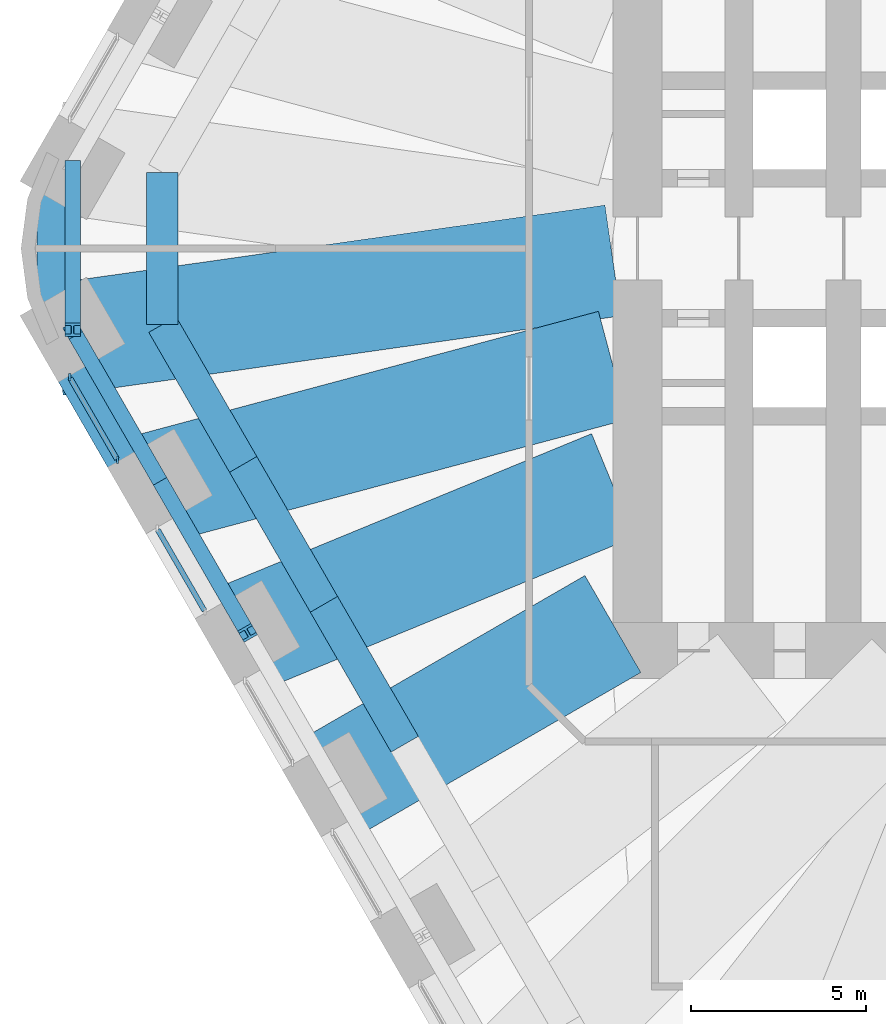
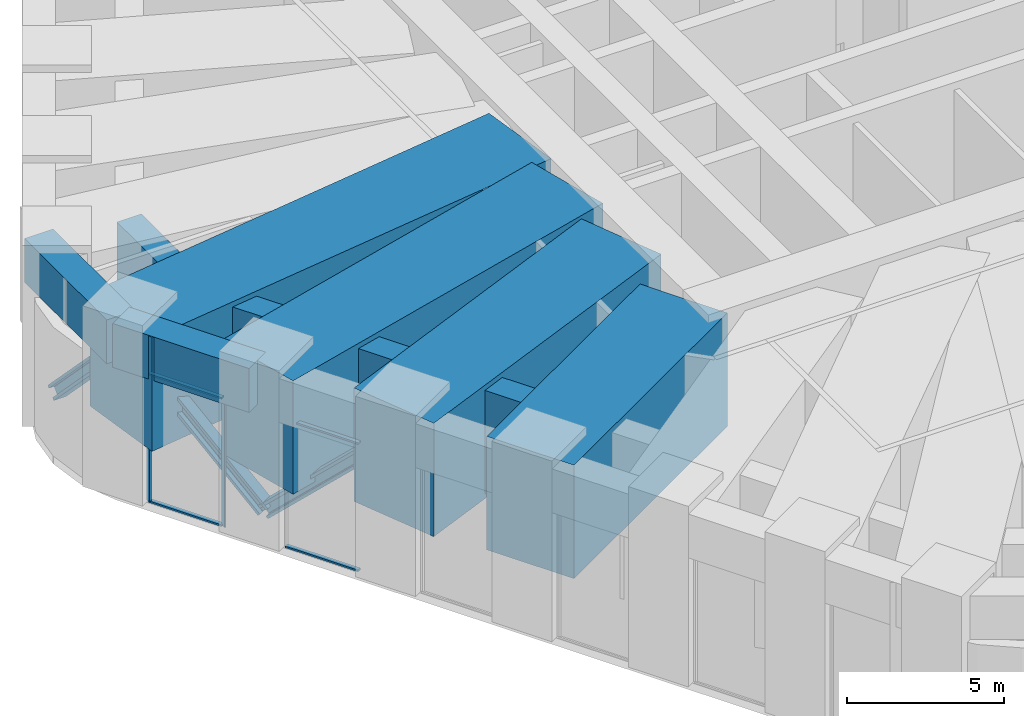
# One storey, part 3 of 16: 10 beams, 9 members, 2 elements without a shape of their own.
"""IFC4 building model written with IfcOpenShell, lengths in metres."""

from ifc_helpers import new_model, si_unit, direction, frame, origin, origin_2d, place, context, subcontext, project, spatial, rectangle, i_section, extrude, material, material_profile, profile_set, type_object, element, aggregate, save


model = new_model("IFC4")

# Units and contexts
model_context = context("Model", 3, precision=1e-05, world=origin(), true_north=direction((0.0, 1.0)))
body_context = subcontext(model_context, "Body", "Model", "MODEL_VIEW")
ifc_project = project(units=[si_unit("LENGTHUNIT", "METRE"), si_unit("AREAUNIT", "SQUARE_METRE"), si_unit("VOLUMEUNIT", "CUBIC_METRE"), si_unit("PLANEANGLEUNIT", "RADIAN"), si_unit("MASSUNIT", "GRAM", prefix="KILO")], contexts=[model_context])

# Site, building, storey
site_placement = place(None, origin())
site = spatial("IfcSite", under=ifc_project, at=site_placement, CompositionType="ELEMENT")
building_placement = place(site_placement, origin())
building = spatial("IfcBuilding", under=site, at=building_placement, Name="Tarfa Lantern Tower", CompositionType="ELEMENT")
storey_placement = place(building_placement, frame((0.0, 0.0, 203.5)))
storey = spatial("IfcBuildingStorey", under=building, at=storey_placement, Name="L46", CompositionType="ELEMENT", Elevation=203.5)

# Members
ifc_material_1 = material(Name="Steel S460M", Category="steel")
ifc_material_profile_1 = material_profile(ifc_material_1, i_section(OverallWidth=0.44189453125, OverallDepth=0.531005859375, WebThickness=0.06591796875, FlangeThickness=0.10595703125, FilletRadius=0.02001953125, at=origin_2d()), Name="HD400x900")
ifc_profile_set_1 = profile_set([ifc_material_profile_1], Name="Steel S460M")
member_type_1 = type_object("IfcMemberType", Name="BT2 HD400x900", PredefinedType="BRACE", material=ifc_profile_set_1)
member_1_placement = place(storey_placement, frame((-34.04931640625, 2.324951171875, 0.60009765625), z_axis=(0.0, -0.695802283081, 0.718233376319), x_axis=(1.0, 0.0, 0.0)))
element("IfcMember", 1, at=member_1_placement, inside=storey, type_object=member_type_1, Name="Belt truss diagonal 21", PredefinedType="BRACE", context=body_context, shape_type="SweptSolid", body=[
    extrude(i_section(OverallWidth=0.44189453125, OverallDepth=0.531005859375, WebThickness=0.06591796875, FlangeThickness=0.10595703125, FilletRadius=0.02001953125, at=origin_2d()), origin(), (0.0, 0.0, 1.0), 6.682861328125),
])
member_2_placement = place(storey_placement, frame((-31.54736328125, -6.658447265625, 0.60009765625), z_axis=(-0.360836211576, 0.624984656077, 0.692236526112), x_axis=(-0.866024712477, -0.500001197378, 0.0)))
element("IfcMember", 2, at=member_2_placement, inside=storey, type_object=member_type_1, Name="Belt truss diagonal 22", PredefinedType="BRACE", context=body_context, shape_type="SweptSolid", body=[
    extrude(i_section(OverallWidth=0.44189453125, OverallDepth=0.531005859375, WebThickness=0.06591796875, FlangeThickness=0.10595703125, FilletRadius=0.02001953125, at=origin_2d()), origin(), (0.0, 0.0, 1.0), 6.933837890625),
])
member_3_placement = place(storey_placement, frame((-31.54736328125, -6.658447265625, 0.60009765625), z_axis=(0.360844152163, -0.624963198354, 0.692251759516), x_axis=(0.866012514114, 0.500022324899, 0.0)))
element("IfcMember", 3, at=member_3_placement, inside=storey, type_object=member_type_1, Name="Belt truss diagonal 23", PredefinedType="BRACE", context=body_context, shape_type="SweptSolid", body=[
    extrude(i_section(OverallWidth=0.44189453125, OverallDepth=0.531005859375, WebThickness=0.06591796875, FlangeThickness=0.10595703125, FilletRadius=0.02001953125, at=origin_2d()), origin(), (0.0, 0.0, 1.0), 6.93359375),
])

# Curtain wall, members
ifc_material_2 = material(Name="Aluminium framed curtain wall", Category="aluminium")
curtain_wall_type = type_object("IfcCurtainWallType", Name="CW6 LOUVRED SCREEN WALL 5000", PredefinedType="USERDEFINED", material=ifc_material_2)
curtain_wall_1_placement = place(storey_placement, origin())
curtain_wall_1 = element("IfcCurtainWall", 4, at=curtain_wall_1_placement, inside=storey, type_object=curtain_wall_type, Name="CW6 SW L46", ObjectType="CURTAIN WALL", PredefinedType="USERDEFINED")
ifc_material_3 = material(Name="Aluminium mullion", Category="aluminium")
ifc_material_profile_2 = material_profile(ifc_material_3, rectangle(XDim=0.06494140625, YDim=0.199951171875, at=origin_2d()), Name="AL MULLION 65x200")
ifc_profile_set_2 = profile_set([ifc_material_profile_2], Name="Aluminium mullion")
member_type_2 = type_object("IfcMemberType", Name="CWM1 MULLION 65x200", PredefinedType="MULLION", material=ifc_profile_set_2)
member_4_placement = place(storey_placement, frame((-34.132568359375, -3.6806640625, 0.0), z_axis=(0.0, 0.0, 1.0), x_axis=(1.0, 0.0, 0.0)))
member_4 = element("IfcMember", 5, at=member_4_placement, type_object=member_type_2, Name="CW6 mullion 1", PredefinedType="MULLION", context=body_context, shape_type="SweptSolid", body=[
    extrude(rectangle(XDim=0.06494140625, YDim=0.199951171875, at=origin_2d()), origin(), (0.0, 0.0, 1.0), 5.0),
])
member_5_placement = place(storey_placement, frame((-32.76318359375, -6.052490234375, 0.0), z_axis=(0.0, 0.0, 1.0), x_axis=(1.0, 0.0, 0.0)))
member_5 = element("IfcMember", 6, at=member_5_placement, type_object=member_type_2, Name="CW6 mullion 2", PredefinedType="MULLION", context=body_context, shape_type="SweptSolid", body=[
    extrude(rectangle(XDim=0.06494140625, YDim=0.199951171875, at=origin_2d()), origin(), (0.0, 0.0, 1.0), 5.0),
])
ifc_material_4 = material(Name="Aluminium transom", Category="aluminium")
ifc_material_profile_3 = material_profile(ifc_material_4, rectangle(XDim=0.14990234375, YDim=0.06494140625, at=origin_2d()), Name="AL TRANSOM 150x65")
ifc_profile_set_3 = profile_set([ifc_material_profile_3], Name="Aluminium transom")
member_type_3 = type_object("IfcMemberType", Name="CWT1 TRANSOM 150x65", PredefinedType="USERDEFINED", material=ifc_profile_set_3)
member_6_placement = place(storey_placement, frame((-34.1162109375, -3.708984375, 0.032470703125), z_axis=(0.500028081597, -0.86600919026, 0.0), x_axis=(0.86600919026, 0.500028081597, 0.0)))
member_6 = element("IfcMember", 7, at=member_6_placement, type_object=member_type_3, Name="CW6 transom 1.1", ObjectType="TRANSOM", PredefinedType="USERDEFINED", context=body_context, shape_type="SweptSolid", body=[
    extrude(rectangle(XDim=0.14990234375, YDim=0.06494140625, at=origin_2d()), origin(), (0.0, 0.0, 1.0), 2.673583984375),
])
member_7_placement = place(storey_placement, frame((-34.1162109375, -3.708984375, 4.967529296875), z_axis=(0.500028081597, -0.86600919026, 0.0), x_axis=(0.86600919026, 0.500028081597, 0.0)))
member_7 = element("IfcMember", 8, at=member_7_placement, type_object=member_type_3, Name="CW6 transom 1.2", ObjectType="TRANSOM", PredefinedType="USERDEFINED", context=body_context, shape_type="SweptSolid", body=[
    extrude(rectangle(XDim=0.14990234375, YDim=0.06494140625, at=origin_2d()), origin(), (0.0, 0.0, 1.0), 2.673583984375),
])
aggregate(curtain_wall_1, [member_4, member_5, member_6, member_7])

curtain_wall_2_placement = place(storey_placement, origin())
curtain_wall_2 = element("IfcCurtainWall", 9, at=curtain_wall_2_placement, inside=storey, type_object=curtain_wall_type, Name="CW6 SW L46", ObjectType="CURTAIN WALL", PredefinedType="USERDEFINED")
member_8_placement = place(storey_placement, frame((-31.614501953125, -8.042236328125, 0.032470703125), z_axis=(0.500028081597, -0.86600919026, 0.0), x_axis=(0.86600919026, 0.500028081597, 0.0)))
member_8 = element("IfcMember", 10, at=member_8_placement, type_object=member_type_3, Name="CW6 transom 1.1", ObjectType="TRANSOM", PredefinedType="USERDEFINED", context=body_context, shape_type="SweptSolid", body=[
    extrude(rectangle(XDim=0.14990234375, YDim=0.06494140625, at=origin_2d()), origin(), (0.0, 0.0, 1.0), 2.673583984375),
])
member_9_placement = place(storey_placement, frame((-31.614501953125, -8.042236328125, 4.967529296875), z_axis=(0.500028081597, -0.86600919026, 0.0), x_axis=(0.86600919026, 0.500028081597, 0.0)))
member_9 = element("IfcMember", 11, at=member_9_placement, type_object=member_type_3, Name="CW6 transom 1.2", ObjectType="TRANSOM", PredefinedType="USERDEFINED", context=body_context, shape_type="SweptSolid", body=[
    extrude(rectangle(XDim=0.14990234375, YDim=0.06494140625, at=origin_2d()), origin(), (0.0, 0.0, 1.0), 2.673583984375),
])
aggregate(curtain_wall_2, [member_8, member_9])

# Beams
ifc_material_5 = material(Name="Concrete C80/95", Category="concrete")
ifc_material_profile_4 = material_profile(ifc_material_5, rectangle(XDim=1.050048828125, YDim=1.699951171875, at=origin_2d()), Name="RC 1050x1700")
ifc_profile_set_4 = profile_set([ifc_material_profile_4], Name="Concrete C80/95")
beam_type_1 = type_object("IfcBeamType", Name="RB2 RC 1050x1700", PredefinedType="BEAM", material=ifc_profile_set_4)
beam_1_placement = place(storey_placement, frame((-34.54296875, 2.610107421875, 5.85009765625), z_axis=(0.0, -1.0, 0.0), x_axis=(1.0, 0.0, 0.0)))
element("IfcBeam", 12, at=beam_1_placement, inside=storey, type_object=beam_type_1, Name="Edge beam NW6", PredefinedType="BEAM", context=body_context, shape_type="SweptSolid", body=[
    extrude(rectangle(XDim=1.050048828125, YDim=1.699951171875, at=origin_2d()), origin(), (0.0, 0.0, 1.0), 5.22021484375),
])
beam_2_placement = place(storey_placement, frame((-34.54296875, -2.610107421875, 5.85009765625), z_axis=(0.500022324899, -0.866012514114, 0.0), x_axis=(0.866012514114, 0.500022324899, 0.0)))
element("IfcBeam", 13, at=beam_2_placement, inside=storey, type_object=beam_type_1, Name="Edge beam SW0", PredefinedType="BEAM", context=body_context, shape_type="SweptSolid", body=[
    extrude(rectangle(XDim=1.050048828125, YDim=1.699951171875, at=origin_2d()), origin(), (0.0, 0.0, 1.0), 5.003662109375),
])
ifc_material_profile_5 = material_profile(ifc_material_5, rectangle(XDim=0.89990234375, YDim=4.0, at=origin_2d()), Name="RC 900x4000")
ifc_profile_set_5 = profile_set([ifc_material_profile_5], Name="Concrete C80/95")
beam_type_2 = type_object("IfcBeamType", Name="RG2 RC 900x4000", PredefinedType="BEAM", material=ifc_profile_set_5)
beam_3_placement = place(storey_placement, frame((-31.47998046875, 2.175048828125, 4.5), z_axis=(0.0, -1.0, 0.0), x_axis=(1.0, 0.0, 0.0)))
element("IfcBeam", 14, at=beam_3_placement, inside=storey, type_object=beam_type_2, Name="Ring girder NW6", PredefinedType="BEAM", context=body_context, shape_type="SweptSolid", body=[
    extrude(rectangle(XDim=0.89990234375, YDim=4.0, at=origin_2d()), origin(), (0.0, 0.0, 1.0), 4.35009765625),
])
for number, where, z_axis, x_axis, name in (
    (15, (-31.47998046875, -2.175048828125, 4.5), (0.499987836815, -0.866032426089, 0.0), (0.866032426089, 0.499987836815, 0.0), "Ring girder SW0"),
    (16, (-29.170654296875, -6.175048828125, 4.5), (0.499987836815, -0.866032426089, 0.0), (0.866032426089, 0.499987836815, 0.0), "Ring girder SW1"),
):
    element("IfcBeam", number, at=place(storey_placement, frame(where, z_axis=z_axis, x_axis=x_axis)), inside=storey, type_object=beam_type_2, Name=name, PredefinedType="BEAM", context=body_context, shape_type="SweptSolid", body=[
        extrude(rectangle(XDim=0.89990234375, YDim=4.0, at=origin_2d()), origin(), (0.0, 0.0, 1.0), 4.61865234375),
    ])
beam_4_placement = place(storey_placement, frame((-26.861328125, -10.175048828125, 4.5), z_axis=(0.500027479704, -0.866009537788, 0.0), x_axis=(0.866009537788, 0.500027479704, 0.0)))
element("IfcBeam", 17, at=beam_4_placement, inside=storey, type_object=beam_type_2, Name="Ring girder SW2", PredefinedType="BEAM", context=body_context, shape_type="SweptSolid", body=[
    extrude(rectangle(XDim=0.89990234375, YDim=4.0, at=origin_2d()), origin(), (0.0, 0.0, 1.0), 4.618896484375),
])
ifc_material_profile_6 = material_profile(ifc_material_5, rectangle(XDim=3.199951171875, YDim=4.39990234375, at=origin_2d()), Name="RC 3200x4400")
ifc_profile_set_6 = profile_set([ifc_material_profile_6], Name="Concrete C80/95")
beam_type_3 = type_object("IfcBeamType", Name="TG2 RC 3200x4400", PredefinedType="BEAM", material=ifc_profile_set_6)
beam_5_placement = place(storey_placement, frame((-34.54296875, -2.610107421875, 4.5), z_axis=(0.990063486473, 0.140621096399, 0.0), x_axis=(-0.140621096399, 0.990063486473, 0.0)))
element("IfcBeam", 18, at=beam_5_placement, inside=storey, type_object=beam_type_3, Name="Transfer girder SW0", PredefinedType="BEAM", context=body_context, shape_type="SweptSolid", body=[
    extrude(rectangle(XDim=3.199951171875, YDim=4.39990234375, at=origin_2d()), origin(), (0.0, 0.0, 1.0), 16.102783203125),
])
beam_6_placement = place(storey_placement, frame((-32.041015625, -6.943359375, 4.5), z_axis=(0.965990168445, 0.258578797406, 0.0), x_axis=(-0.258578797406, 0.965990168445, 0.0)))
element("IfcBeam", 19, at=beam_6_placement, inside=storey, type_object=beam_type_3, Name="Transfer girder SW1", PredefinedType="BEAM", context=body_context, shape_type="SweptSolid", body=[
    extrude(rectangle(XDim=3.199951171875, YDim=4.39990234375, at=origin_2d()), origin(), (0.0, 0.0, 1.0), 13.9140625),
])
beam_7_placement = place(storey_placement, frame((-29.5390625, -11.276611328125, 4.5), z_axis=(0.924798167794, 0.380458077645, 0.0), x_axis=(-0.380458077645, 0.924798167794, 0.0)))
element("IfcBeam", 20, at=beam_7_placement, inside=storey, type_object=beam_type_3, Name="Transfer girder SW2", PredefinedType="BEAM", context=body_context, shape_type="SweptSolid", body=[
    extrude(rectangle(XDim=3.199951171875, YDim=4.39990234375, at=origin_2d()), origin(), (0.0, 0.0, 1.0), 11.828369140625),
])
beam_8_placement = place(storey_placement, frame((-27.037353515625, -15.610107421875, 4.5), z_axis=(0.86602158371, 0.500006616504, 0.0), x_axis=(-0.500006616504, 0.86602158371, 0.0)))
element("IfcBeam", 21, at=beam_8_placement, inside=storey, type_object=beam_type_3, Name="Transfer girder SW3", PredefinedType="BEAM", context=body_context, shape_type="SweptSolid", body=[
    extrude(rectangle(XDim=3.199951171875, YDim=4.39990234375, at=origin_2d()), origin(), (0.0, 0.0, 1.0), 9.742431640625),
])

save(model, "model.ifc")
